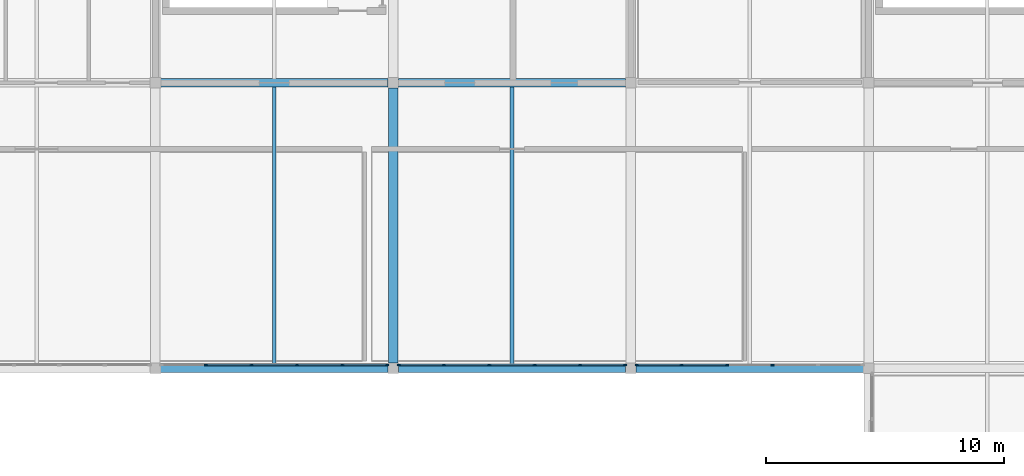
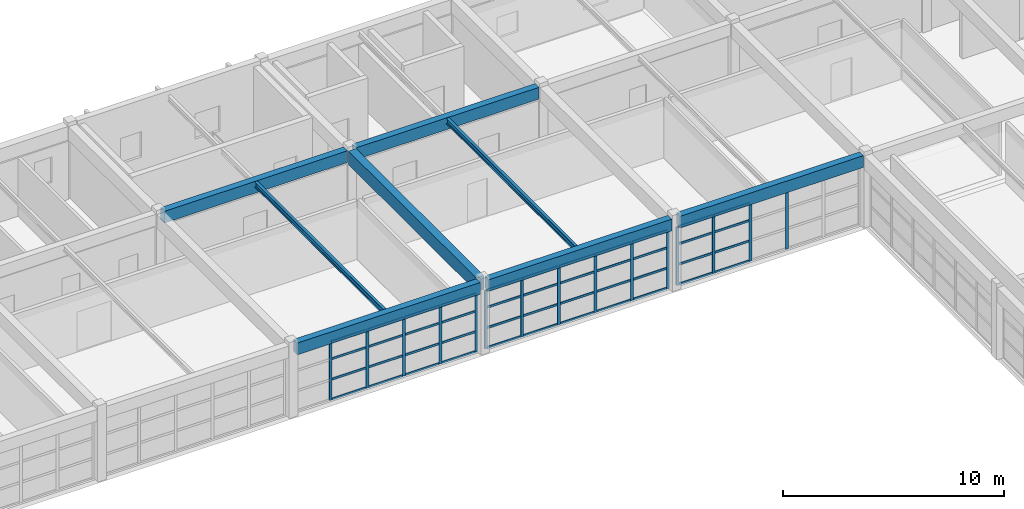
# One storey, part 7 of 16: 59 members, 8 beams, 3 elements without a shape of their own.
"""IFC4 building model written with IfcOpenShell, lengths in metres."""

import ifcopenshell
import ifcopenshell.guid

model = None  # the IFC model being written
_history = None  # IfcOwnerHistory: only IFC2X3 demands one
_inside = {}  # id of a spatial element -> (the spatial element, [elements in it])
_under = {}  # id of a project, library or spatial element -> (it, [spatial elements below it])
_declared = {}  # id of a project -> (the project, [libraries it declares])
_typed = {}  # id of a type object -> (the type object, [elements of that type])
_made_of = {}  # id of a material, layer set ... -> (it, [elements and type objects made of it])


def new_model(schema):
    """Start an empty IFC model of exactly this schema.

    Asked for "IFC4X3", IfcOpenShell would pick the latest addendum, in which some entities
    have other attributes; the version numbers below select the first issue.
    IFC2X3 requires an IfcOwnerHistory on every rooted entity: one is made here for all.
    """
    global model, _history
    if schema == "IFC4X3":
        model = ifcopenshell.file(schema_version=(4, 3, 0, 0))
    else:
        model = ifcopenshell.file(schema=schema)
    _inside.clear()
    _under.clear()
    _declared.clear()
    _typed.clear()
    _made_of.clear()
    _history = None
    if model.schema == "IFC2X3":
        org = make("IfcOrganization", Name="unknown")
        user = make(
            "IfcPersonAndOrganization",
            ThePerson=make("IfcPerson", FamilyName="unknown"),
            TheOrganization=org,
        )
        app = make(
            "IfcApplication",
            ApplicationDeveloper=org,
            Version="unknown",
            ApplicationFullName="unknown",
            ApplicationIdentifier="unknown",
        )
        _history = make(
            "IfcOwnerHistory",
            OwningUser=user,
            OwningApplication=app,
            ChangeAction="ADDED",
            CreationDate=0,
        )
    return model


def make(cls, **values):
    """One entity of the class cls with the attributes given. An attribute that is None is left unset."""
    return model.create_entity(
        cls, **{name: value for name, value in values.items() if value is not None}
    )


def rooted(cls, **values):
    """An entity with a GlobalId (a new one), such as an element, a storey or a relation."""
    return make(cls, GlobalId=ifcopenshell.guid.new(), OwnerHistory=_history, **values)


def si_unit(unit_type, name, prefix=None):
    """IfcSIUnit, for example si_unit("LENGTHUNIT", "METRE", prefix="MILLI")."""
    return make("IfcSIUnit", UnitType=unit_type, Prefix=prefix, Name=name)


def assignment(units):
    """IfcUnitAssignment: the units of a project."""
    return None if units is None else make("IfcUnitAssignment", Units=units)


def point(xyz):
    """IfcCartesianPoint."""
    return None if xyz is None else make("IfcCartesianPoint", Coordinates=xyz)


def direction(xyz):
    """IfcDirection."""
    return None if xyz is None else make("IfcDirection", DirectionRatios=xyz)


def frame(location, z_axis=None, x_axis=None):
    """IfcAxis2Placement3D, a coordinate frame: its origin and axes. An axis left out is left unset."""
    return make(
        "IfcAxis2Placement3D",
        Location=point(location),
        Axis=direction(z_axis),
        RefDirection=direction(x_axis),
    )


def frame_2d(location, x_axis=None):
    """IfcAxis2Placement2D, a coordinate frame in the plane: its origin and x axis."""
    return make(
        "IfcAxis2Placement2D", Location=point(location), RefDirection=direction(x_axis)
    )


def origin():
    """The frame at (0, 0, 0) with its axes left unset."""
    return frame((0.0, 0.0, 0.0))


def origin_2d():
    """The frame at (0, 0) in the plane with its x axis left unset."""
    return frame_2d((0.0, 0.0))


def place(relative_to, where):
    """IfcLocalPlacement: puts the frame where relative to a parent placement (None: the world)."""
    return make(
        "IfcLocalPlacement", PlacementRelTo=relative_to, RelativePlacement=where
    )


def context(
    kind, dimensions, precision=None, world=None, true_north=None, identifier=None
):
    """IfcGeometricRepresentationContext, for example the 3D "Model" context."""
    return make(
        "IfcGeometricRepresentationContext",
        ContextIdentifier=identifier,
        ContextType=kind,
        CoordinateSpaceDimension=dimensions,
        Precision=precision,
        WorldCoordinateSystem=world,
        TrueNorth=true_north,
    )


def subcontext(parent, identifier, kind, view, scale=None):
    """IfcGeometricRepresentationSubContext, for example "Body" below "Model"."""
    return make(
        "IfcGeometricRepresentationSubContext",
        ContextIdentifier=identifier,
        ContextType=kind,
        ParentContext=parent,
        TargetScale=scale,
        TargetView=view,
    )


def project(units=None, contexts=None):
    """IfcProject with its units and contexts."""
    return rooted(
        "IfcProject",
        Name="project",
        RepresentationContexts=contexts,
        UnitsInContext=assignment(units),
    )


def spatial(cls, under=None, at=None, **own):
    """A site, building, storey or space (cls), placed at a placement, below another one or the project."""
    s = rooted(cls, ObjectPlacement=at, **own)
    if under is not None:
        _under.setdefault(under.id(), (under, []))[1].append(s)
    return s


def profile(cls, at=None, kind="AREA", **sizes):
    """A parametric profile (cls). Its sizes go by their IFC names, for example OverallWidth=200.0."""
    return make(cls, ProfileType=kind, Position=at, **sizes)


def rectangle(**sizes):
    """IfcRectangleProfileDef."""
    return profile("IfcRectangleProfileDef", **sizes)


def i_section(**sizes):
    """IfcIShapeProfileDef."""
    return profile("IfcIShapeProfileDef", **sizes)


def extrude(swept, where, along, depth):
    """IfcExtrudedAreaSolid: the profile swept, set in the frame where, extruded along a direction by depth."""
    return make(
        "IfcExtrudedAreaSolid",
        SweptArea=swept,
        Position=where,
        ExtrudedDirection=direction(along),
        Depth=depth,
    )


def shape(context_of_items, identifier, shape_type, items):
    """IfcShapeRepresentation: the items that make up one representation, for example the "Body"."""
    return make(
        "IfcShapeRepresentation",
        ContextOfItems=context_of_items,
        RepresentationIdentifier=identifier,
        RepresentationType=shape_type,
        Items=items,
    )


def material(Name=None, Category=None):
    """IfcMaterial."""
    return make("IfcMaterial", Name=Name, Category=Category)


def layer(
    of_material, thickness, ventilated=None, Name=None, Category=None, Priority=None
):
    """IfcMaterialLayer: one layer of a wall or slab, of a material (None: an air gap)."""
    return make(
        "IfcMaterialLayer",
        Material=of_material,
        LayerThickness=thickness,
        IsVentilated=ventilated,
        Name=Name,
        Category=Category,
        Priority=Priority,
    )


def layer_set(layers, Name=None):
    """IfcMaterialLayerSet."""
    return make("IfcMaterialLayerSet", MaterialLayers=layers, LayerSetName=Name)


def material_profile(
    of_material, cross_section, Name=None, Category=None, Priority=None
):
    """IfcMaterialProfile: a cross section and its material."""
    return make(
        "IfcMaterialProfile",
        Name=Name,
        Material=of_material,
        Profile=cross_section,
        Priority=Priority,
        Category=Category,
    )


def profile_set(profiles, Name=None, composite=None):
    """IfcMaterialProfileSet."""
    return make(
        "IfcMaterialProfileSet",
        Name=Name,
        MaterialProfiles=profiles,
        CompositeProfile=composite,
    )


def made_of(thing, what):
    """Note that an element or type object is made of a material, layer set ...; save() writes the relation."""
    if what is not None:
        _made_of.setdefault(what.id(), (what, []))[1].append(thing)
    return thing


def type_object(cls, material=None, **own):
    """A type object (cls), such as IfcWallType, which elements share."""
    return made_of(rooted(cls, **own), material)


def element(
    cls,
    number,
    at=None,
    inside=None,
    cuts=None,
    type_object=None,
    material=None,
    context=None,
    identifier="Body",
    shape_type=None,
    held_by="IfcProductDefinitionShape",
    body=None,
    shapes=None,
    **own,
):
    """One element of the class cls, such as IfcWall. Its Tag is "e" and its number.

    at: its placement. inside: the storey or other place that contains it. cuts: it is an
    opening in that element (IfcRelVoidsElement). A single representation is given by context,
    identifier, shape_type and body (its items); several are given by shapes. held_by: the class
    of the entity that holds the representations. save() writes the other relations.
    """
    e = rooted(cls, Tag="e%d" % number, ObjectPlacement=at, **own)
    if body is not None:
        shapes = [shape(context, identifier, shape_type, body)]
    if shapes is not None:
        e.Representation = make(held_by, Representations=shapes)
    if inside is not None:
        _inside.setdefault(inside.id(), (inside, []))[1].append(e)
    if cuts is not None:
        rooted(
            "IfcRelVoidsElement", RelatingBuildingElement=cuts, RelatedOpeningElement=e
        )
    if type_object is not None:
        _typed.setdefault(type_object.id(), (type_object, []))[1].append(e)
    return made_of(e, material)


def aggregate(whole, parts):
    """IfcRelAggregates: a whole, such as a stair, and the parts it consists of."""
    return rooted("IfcRelAggregates", RelatingObject=whole, RelatedObjects=parts)


def save(model, path):
    """Write the relations noted so far, then the file.

    IfcRelAggregates (storeys below a building ...), IfcRelContainedInSpatialStructure (elements
    in a storey), IfcRelDefinesByType, IfcRelAssociatesMaterial and IfcRelDeclares: one each for
    every whole, place, type object, material and project.
    """
    for whole, parts in _under.values():
        aggregate(whole, parts)
    for where, things in _inside.values():
        rooted(
            "IfcRelContainedInSpatialStructure",
            RelatedElements=things,
            RelatingStructure=where,
        )
    for kind, things in _typed.values():
        rooted("IfcRelDefinesByType", RelatedObjects=things, RelatingType=kind)
    for what, things in _made_of.values():
        rooted("IfcRelAssociatesMaterial", RelatedObjects=things, RelatingMaterial=what)
    for by, libraries in _declared.values():
        rooted("IfcRelDeclares", RelatingContext=by, RelatedDefinitions=libraries)
    model.write(path)


model = new_model("IFC4")

# Units and contexts
model_context = context("Model", 3, precision=1e-05, world=origin(), true_north=direction((0.0, 1.0)))
body_context = subcontext(model_context, "Body", "Model", "MODEL_VIEW")
ifc_project = project(units=[si_unit("LENGTHUNIT", "METRE"), si_unit("AREAUNIT", "SQUARE_METRE"), si_unit("VOLUMEUNIT", "CUBIC_METRE"), si_unit("PLANEANGLEUNIT", "RADIAN"), si_unit("MASSUNIT", "GRAM", prefix="KILO")], contexts=[model_context])

# Site, building, storey
site_placement = place(None, origin())
site = spatial("IfcSite", under=ifc_project, at=site_placement, CompositionType="ELEMENT")
building_placement = place(site_placement, origin())
building = spatial("IfcBuilding", under=site, at=building_placement, Name="Kivolera Central Railway Station", CompositionType="ELEMENT")
storey_placement = place(building_placement, frame((0.0, 0.0, 27.0)))
storey = spatial("IfcBuildingStorey", under=building, at=storey_placement, Name="L06", CompositionType="ELEMENT", Elevation=27.0)

# Beams
ifc_material_1 = material(Name="Steel S355", Category="steel")
ifc_material_profile_1 = material_profile(ifc_material_1, i_section(OverallWidth=0.14990234375, OverallDepth=0.300048828125, WebThickness=0.007080078125, FlangeThickness=0.0107421875, FilletRadius=0.014892578125, at=origin_2d()), Name="IPE 300")
ifc_profile_set_1 = profile_set([ifc_material_profile_1], Name="Steel S355")
beam_type_1 = type_object("IfcBeamType", Name="BM-JST-IPE300", PredefinedType="JOIST", material=ifc_profile_set_1)
for number, where, z_axis, x_axis, name in (
    (1, (153.0, 114.1669921875, 3.818115234375), (0.0, 1.0, 0.0), (-1.0, 0.0, 0.0), "L06 Floor Joist 15-16/K-L"),
    (2, (163.0, 114.1669921875, 3.818115234375), (0.0, 1.0, 0.0), (-1.0, 0.0, 0.0), "L06 Floor Joist 16-17/K-L"),
):
    element("IfcBeam", number, at=place(storey_placement, frame(where, z_axis=z_axis, x_axis=x_axis)), inside=storey, type_object=beam_type_1, Name=name, PredefinedType="JOIST", context=body_context, shape_type="SweptSolid", body=[
        extrude(i_section(OverallWidth=0.14990234375, OverallDepth=0.300048828125, WebThickness=0.007080078125, FlangeThickness=0.0107421875, FilletRadius=0.014892578125, at=origin_2d()), origin(), (0.0, 0.0, 1.0), 11.666015625),
    ])
ifc_material_2 = material(Name="Concrete C40/50", Category="concrete")
ifc_material_profile_2 = material_profile(ifc_material_2, rectangle(XDim=0.35009765625, YDim=0.64990234375, at=origin_2d()), Name="RC 350x650")
ifc_profile_set_2 = profile_set([ifc_material_profile_2], Name="Concrete C40/50")
beam_type_2 = type_object("IfcBeamType", Name="BM-RC-350x650", PredefinedType="BEAM", material=ifc_profile_set_2)
for number, where, z_axis, x_axis, name in (
    (3, (148.217041015625, 114.0, 3.655029296875), (1.0, 0.0, 0.0), (0.0, 1.0, 0.0), "L06 Wing X-Beam K:15-16"),
    (4, (158.217041015625, 114.0, 3.655029296875), (1.0, 0.0, 0.0), (0.0, 1.0, 0.0), "L06 Wing X-Beam K:16-17"),
    (5, (168.217041015625, 114.0, 3.655029296875), (1.0, 0.0, 0.0), (0.0, 1.0, 0.0), "L06 Wing X-Beam K:17-18"),
    (6, (148.217041015625, 126.0, 3.655029296875), (1.0, 0.0, 0.0), (0.0, 1.0, 0.0), "L06 Wing X-Beam L:15-16"),
    (7, (158.217041015625, 126.0, 3.655029296875), (1.0, 0.0, 0.0), (0.0, 1.0, 0.0), "L06 Wing X-Beam L:16-17"),
):
    element("IfcBeam", number, at=place(storey_placement, frame(where, z_axis=z_axis, x_axis=x_axis)), inside=storey, type_object=beam_type_2, Name=name, PredefinedType="BEAM", context=body_context, shape_type="SweptSolid", body=[
        extrude(rectangle(XDim=0.35009765625, YDim=0.64990234375, at=origin_2d()), origin(), (0.0, 0.0, 1.0), 9.56591796875),
    ])
ifc_material_profile_3 = material_profile(ifc_material_2, rectangle(XDim=0.39990234375, YDim=0.75, at=origin_2d()), Name="RC 400x750")
ifc_profile_set_3 = profile_set([ifc_material_profile_3], Name="Concrete C40/50")
beam_type_3 = type_object("IfcBeamType", Name="BM-RC-400x750", PredefinedType="BEAM", material=ifc_profile_set_3)
beam_placement = place(storey_placement, frame((158.0, 114.217041015625, 3.60498046875), z_axis=(0.0, 1.0, 0.0), x_axis=(-1.0, 0.0, 0.0)))
element("IfcBeam", 8, at=beam_placement, inside=storey, type_object=beam_type_3, Name="L06 Wing Y-Beam 16:K-L", PredefinedType="BEAM", context=body_context, shape_type="SweptSolid", body=[
    extrude(rectangle(XDim=0.39990234375, YDim=0.75, at=origin_2d()), origin(), (0.0, 0.0, 1.0), 11.56591796875),
])

# Curtain wall, members
ifc_material_3 = material(Name="Anodised aluminium", Category="aluminium")
ifc_layer = layer(ifc_material_3, 0.179931640625, Name="Anodised aluminium")
ifc_layer_set = layer_set([ifc_layer], Name="Anodised aluminium")
curtain_wall_type = type_object("IfcCurtainWallType", Name="CW-SYS-34", PredefinedType="NOTDEFINED", material=ifc_layer_set)
curtain_wall_1_placement = place(storey_placement, origin())
curtain_wall_1 = element("IfcCurtainWall", 9, at=curtain_wall_1_placement, inside=storey, type_object=curtain_wall_type, Name="L06 Curtain Wall CW-L06-SOUTH-4", PredefinedType="NOTDEFINED")
ifc_material_profile_4 = material_profile(ifc_material_3, rectangle(XDim=0.06005859375, YDim=0.14990234375, at=origin_2d()), Name="ALU MULL 60x150")
ifc_profile_set_4 = profile_set([ifc_material_profile_4], Name="Anodised aluminium")
member_type_1 = type_object("IfcMemberType", Name="CWM-MUL-2", PredefinedType="MULLION", material=ifc_profile_set_4)
member_1_placement = place(storey_placement, frame((157.75, 114.135009765625, -0.0048828125), z_axis=(0.0, 0.0, 1.0), x_axis=(0.0, -1.0, 0.0)))
member_1 = element("IfcMember", 10, at=member_1_placement, type_object=member_type_1, Name="CW-34 mullion 1", PredefinedType="MULLION", context=body_context, shape_type="SweptSolid", body=[
    extrude(rectangle(XDim=0.06005859375, YDim=0.14990234375, at=origin_2d()), origin(), (0.0, 0.0, 1.0), 3.222900390625),
])
member_2_placement = place(storey_placement, frame((155.867919921875, 114.135009765625, -0.0048828125), z_axis=(0.0, 0.0, 1.0), x_axis=(0.0, -1.0, 0.0)))
member_2 = element("IfcMember", 11, at=member_2_placement, type_object=member_type_1, Name="CW-34 mullion 2", PredefinedType="MULLION", context=body_context, shape_type="SweptSolid", body=[
    extrude(rectangle(XDim=0.06005859375, YDim=0.14990234375, at=origin_2d()), origin(), (0.0, 0.0, 1.0), 3.222900390625),
])
member_3_placement = place(storey_placement, frame((153.9560546875, 114.135009765625, -0.0048828125), z_axis=(0.0, 0.0, 1.0), x_axis=(0.0, -1.0, 0.0)))
member_3 = element("IfcMember", 12, at=member_3_placement, type_object=member_type_1, Name="CW-34 mullion 3", PredefinedType="MULLION", context=body_context, shape_type="SweptSolid", body=[
    extrude(rectangle(XDim=0.06005859375, YDim=0.14990234375, at=origin_2d()), origin(), (0.0, 0.0, 1.0), 3.222900390625),
])
member_4_placement = place(storey_placement, frame((152.0439453125, 114.135009765625, -0.0048828125), z_axis=(0.0, 0.0, 1.0), x_axis=(0.0, -1.0, 0.0)))
member_4 = element("IfcMember", 13, at=member_4_placement, type_object=member_type_1, Name="CW-34 mullion 4", PredefinedType="MULLION", context=body_context, shape_type="SweptSolid", body=[
    extrude(rectangle(XDim=0.06005859375, YDim=0.14990234375, at=origin_2d()), origin(), (0.0, 0.0, 1.0), 3.222900390625),
])
member_5_placement = place(storey_placement, frame((150.132080078125, 114.135009765625, -0.0048828125), z_axis=(0.0, 0.0, 1.0), x_axis=(0.0, -1.0, 0.0)))
member_5 = element("IfcMember", 14, at=member_5_placement, type_object=member_type_1, Name="CW-34 mullion 5", PredefinedType="MULLION", context=body_context, shape_type="SweptSolid", body=[
    extrude(rectangle(XDim=0.06005859375, YDim=0.14990234375, at=origin_2d()), origin(), (0.0, 0.0, 1.0), 3.222900390625),
])

curtain_wall_2_placement = place(storey_placement, origin())
curtain_wall_2 = element("IfcCurtainWall", 15, at=curtain_wall_2_placement, inside=storey, type_object=curtain_wall_type, Name="L06 Curtain Wall CW-L06-SOUTH-5", PredefinedType="NOTDEFINED")
member_6_placement = place(storey_placement, frame((167.75, 114.135009765625, -0.0048828125), z_axis=(0.0, 0.0, 1.0), x_axis=(0.0, -1.0, 0.0)))
member_6 = element("IfcMember", 16, at=member_6_placement, type_object=member_type_1, Name="CW-34 mullion 1", PredefinedType="MULLION", context=body_context, shape_type="SweptSolid", body=[
    extrude(rectangle(XDim=0.06005859375, YDim=0.14990234375, at=origin_2d()), origin(), (0.0, 0.0, 1.0), 3.222900390625),
])
member_7_placement = place(storey_placement, frame((165.867919921875, 114.135009765625, -0.0048828125), z_axis=(0.0, 0.0, 1.0), x_axis=(0.0, -1.0, 0.0)))
member_7 = element("IfcMember", 17, at=member_7_placement, type_object=member_type_1, Name="CW-34 mullion 2", PredefinedType="MULLION", context=body_context, shape_type="SweptSolid", body=[
    extrude(rectangle(XDim=0.06005859375, YDim=0.14990234375, at=origin_2d()), origin(), (0.0, 0.0, 1.0), 3.222900390625),
])
member_8_placement = place(storey_placement, frame((163.9560546875, 114.135009765625, -0.0048828125), z_axis=(0.0, 0.0, 1.0), x_axis=(0.0, -1.0, 0.0)))
member_8 = element("IfcMember", 18, at=member_8_placement, type_object=member_type_1, Name="CW-34 mullion 3", PredefinedType="MULLION", context=body_context, shape_type="SweptSolid", body=[
    extrude(rectangle(XDim=0.06005859375, YDim=0.14990234375, at=origin_2d()), origin(), (0.0, 0.0, 1.0), 3.222900390625),
])
member_9_placement = place(storey_placement, frame((162.0439453125, 114.135009765625, -0.0048828125), z_axis=(0.0, 0.0, 1.0), x_axis=(0.0, -1.0, 0.0)))
member_9 = element("IfcMember", 19, at=member_9_placement, type_object=member_type_1, Name="CW-34 mullion 4", PredefinedType="MULLION", context=body_context, shape_type="SweptSolid", body=[
    extrude(rectangle(XDim=0.06005859375, YDim=0.14990234375, at=origin_2d()), origin(), (0.0, 0.0, 1.0), 3.222900390625),
])
member_10_placement = place(storey_placement, frame((160.132080078125, 114.135009765625, -0.0048828125), z_axis=(0.0, 0.0, 1.0), x_axis=(0.0, -1.0, 0.0)))
member_10 = element("IfcMember", 20, at=member_10_placement, type_object=member_type_1, Name="CW-34 mullion 5", PredefinedType="MULLION", context=body_context, shape_type="SweptSolid", body=[
    extrude(rectangle(XDim=0.06005859375, YDim=0.14990234375, at=origin_2d()), origin(), (0.0, 0.0, 1.0), 3.222900390625),
])
member_11_placement = place(storey_placement, frame((158.25, 114.135009765625, -0.0048828125), z_axis=(0.0, 0.0, 1.0), x_axis=(0.0, -1.0, 0.0)))
member_11 = element("IfcMember", 21, at=member_11_placement, type_object=member_type_1, Name="CW-34 mullion 6", PredefinedType="MULLION", context=body_context, shape_type="SweptSolid", body=[
    extrude(rectangle(XDim=0.06005859375, YDim=0.14990234375, at=origin_2d()), origin(), (0.0, 0.0, 1.0), 3.222900390625),
])

curtain_wall_3_placement = place(storey_placement, origin())
curtain_wall_3 = element("IfcCurtainWall", 22, at=curtain_wall_3_placement, inside=storey, type_object=curtain_wall_type, Name="L06 Curtain Wall CW-L06-SOUTH-6", PredefinedType="NOTDEFINED")
member_12_placement = place(storey_placement, frame((173.9560546875, 114.135009765625, -0.0048828125), z_axis=(0.0, 0.0, 1.0), x_axis=(0.0, -1.0, 0.0)))
member_12 = element("IfcMember", 23, at=member_12_placement, type_object=member_type_1, Name="CW-34 mullion 3", PredefinedType="MULLION", context=body_context, shape_type="SweptSolid", body=[
    extrude(rectangle(XDim=0.06005859375, YDim=0.14990234375, at=origin_2d()), origin(), (0.0, 0.0, 1.0), 3.222900390625),
])
member_13_placement = place(storey_placement, frame((172.0439453125, 114.135009765625, -0.0048828125), z_axis=(0.0, 0.0, 1.0), x_axis=(0.0, -1.0, 0.0)))
member_13 = element("IfcMember", 24, at=member_13_placement, type_object=member_type_1, Name="CW-34 mullion 4", PredefinedType="MULLION", context=body_context, shape_type="SweptSolid", body=[
    extrude(rectangle(XDim=0.06005859375, YDim=0.14990234375, at=origin_2d()), origin(), (0.0, 0.0, 1.0), 3.222900390625),
])
member_14_placement = place(storey_placement, frame((170.132080078125, 114.135009765625, -0.0048828125), z_axis=(0.0, 0.0, 1.0), x_axis=(0.0, -1.0, 0.0)))
member_14 = element("IfcMember", 25, at=member_14_placement, type_object=member_type_1, Name="CW-34 mullion 5", PredefinedType="MULLION", context=body_context, shape_type="SweptSolid", body=[
    extrude(rectangle(XDim=0.06005859375, YDim=0.14990234375, at=origin_2d()), origin(), (0.0, 0.0, 1.0), 3.222900390625),
])
member_15_placement = place(storey_placement, frame((168.25, 114.135009765625, -0.0048828125), z_axis=(0.0, 0.0, 1.0), x_axis=(0.0, -1.0, 0.0)))
member_15 = element("IfcMember", 26, at=member_15_placement, type_object=member_type_1, Name="CW-34 mullion 6", PredefinedType="MULLION", context=body_context, shape_type="SweptSolid", body=[
    extrude(rectangle(XDim=0.06005859375, YDim=0.14990234375, at=origin_2d()), origin(), (0.0, 0.0, 1.0), 3.222900390625),
])

# Member
ifc_material_profile_5 = material_profile(ifc_material_3, rectangle(XDim=0.06005859375, YDim=0.1201171875, at=origin_2d()), Name="ALU TRAN 60x120")
ifc_profile_set_5 = profile_set([ifc_material_profile_5], Name="Anodised aluminium")
member_type_2 = type_object("IfcMemberType", Name="CWM-TRN-2", PredefinedType="USERDEFINED", material=ifc_profile_set_5)
member_16_placement = place(storey_placement, frame((157.719970703125, 114.135009765625, 0.030029296875), z_axis=(-1.0, 0.0, 0.0), x_axis=(0.0, -1.0, 0.0)))
member_16 = element("IfcMember", 27, at=member_16_placement, type_object=member_type_2, Name="CW-34 transom 1.1", ObjectType="TRANSOM", PredefinedType="USERDEFINED", context=body_context, shape_type="SweptSolid", body=[
    extrude(rectangle(XDim=0.06005859375, YDim=0.1201171875, at=origin_2d()), origin(), (0.0, 0.0, 1.0), 1.822021484375),
])

member_17_placement = place(storey_placement, frame((157.719970703125, 114.135009765625, 1.126220703125), z_axis=(-1.0, 0.0, 0.0), x_axis=(0.0, -1.0, 0.0)))
member_17 = element("IfcMember", 28, at=member_17_placement, type_object=member_type_2, Name="CW-34 transom 1.2", ObjectType="TRANSOM", PredefinedType="USERDEFINED", context=body_context, shape_type="SweptSolid", body=[
    extrude(rectangle(XDim=0.06005859375, YDim=0.1201171875, at=origin_2d()), origin(), (0.0, 0.0, 1.0), 1.822021484375),
])

member_18_placement = place(storey_placement, frame((157.719970703125, 114.135009765625, 2.252685546875), z_axis=(-1.0, 0.0, 0.0), x_axis=(0.0, -1.0, 0.0)))
member_18 = element("IfcMember", 29, at=member_18_placement, type_object=member_type_2, Name="CW-34 transom 1.3", ObjectType="TRANSOM", PredefinedType="USERDEFINED", context=body_context, shape_type="SweptSolid", body=[
    extrude(rectangle(XDim=0.06005859375, YDim=0.1201171875, at=origin_2d()), origin(), (0.0, 0.0, 1.0), 1.822021484375),
])

member_19_placement = place(storey_placement, frame((157.719970703125, 114.135009765625, 3.18798828125), z_axis=(-1.0, 0.0, 0.0), x_axis=(0.0, -1.0, 0.0)))
member_19 = element("IfcMember", 30, at=member_19_placement, type_object=member_type_2, Name="CW-34 transom 1.4", ObjectType="TRANSOM", PredefinedType="USERDEFINED", context=body_context, shape_type="SweptSolid", body=[
    extrude(rectangle(XDim=0.06005859375, YDim=0.1201171875, at=origin_2d()), origin(), (0.0, 0.0, 1.0), 1.822021484375),
])

member_20_placement = place(storey_placement, frame((155.837890625, 114.135009765625, 0.030029296875), z_axis=(-1.0, 0.0, 0.0), x_axis=(0.0, -1.0, 0.0)))
member_20 = element("IfcMember", 31, at=member_20_placement, type_object=member_type_2, Name="CW-34 transom 2.1", ObjectType="TRANSOM", PredefinedType="USERDEFINED", context=body_context, shape_type="SweptSolid", body=[
    extrude(rectangle(XDim=0.06005859375, YDim=0.1201171875, at=origin_2d()), origin(), (0.0, 0.0, 1.0), 1.851806640625),
])

member_21_placement = place(storey_placement, frame((155.837890625, 114.135009765625, 1.126220703125), z_axis=(-1.0, 0.0, 0.0), x_axis=(0.0, -1.0, 0.0)))
member_21 = element("IfcMember", 32, at=member_21_placement, type_object=member_type_2, Name="CW-34 transom 2.2", ObjectType="TRANSOM", PredefinedType="USERDEFINED", context=body_context, shape_type="SweptSolid", body=[
    extrude(rectangle(XDim=0.06005859375, YDim=0.1201171875, at=origin_2d()), origin(), (0.0, 0.0, 1.0), 1.851806640625),
])

member_22_placement = place(storey_placement, frame((155.837890625, 114.135009765625, 2.252685546875), z_axis=(-1.0, 0.0, 0.0), x_axis=(0.0, -1.0, 0.0)))
member_22 = element("IfcMember", 33, at=member_22_placement, type_object=member_type_2, Name="CW-34 transom 2.3", ObjectType="TRANSOM", PredefinedType="USERDEFINED", context=body_context, shape_type="SweptSolid", body=[
    extrude(rectangle(XDim=0.06005859375, YDim=0.1201171875, at=origin_2d()), origin(), (0.0, 0.0, 1.0), 1.851806640625),
])

member_23_placement = place(storey_placement, frame((155.837890625, 114.135009765625, 3.18798828125), z_axis=(-1.0, 0.0, 0.0), x_axis=(0.0, -1.0, 0.0)))
member_23 = element("IfcMember", 34, at=member_23_placement, type_object=member_type_2, Name="CW-34 transom 2.4", ObjectType="TRANSOM", PredefinedType="USERDEFINED", context=body_context, shape_type="SweptSolid", body=[
    extrude(rectangle(XDim=0.06005859375, YDim=0.1201171875, at=origin_2d()), origin(), (0.0, 0.0, 1.0), 1.851806640625),
])

member_24_placement = place(storey_placement, frame((153.926025390625, 114.135009765625, 0.030029296875), z_axis=(-1.0, 0.0, 0.0), x_axis=(0.0, -1.0, 0.0)))
member_24 = element("IfcMember", 35, at=member_24_placement, type_object=member_type_2, Name="CW-34 transom 3.1", ObjectType="TRANSOM", PredefinedType="USERDEFINED", context=body_context, shape_type="SweptSolid", body=[
    extrude(rectangle(XDim=0.06005859375, YDim=0.1201171875, at=origin_2d()), origin(), (0.0, 0.0, 1.0), 1.85205078125),
])

member_25_placement = place(storey_placement, frame((153.926025390625, 114.135009765625, 1.126220703125), z_axis=(-1.0, 0.0, 0.0), x_axis=(0.0, -1.0, 0.0)))
member_25 = element("IfcMember", 36, at=member_25_placement, type_object=member_type_2, Name="CW-34 transom 3.2", ObjectType="TRANSOM", PredefinedType="USERDEFINED", context=body_context, shape_type="SweptSolid", body=[
    extrude(rectangle(XDim=0.06005859375, YDim=0.1201171875, at=origin_2d()), origin(), (0.0, 0.0, 1.0), 1.85205078125),
])

member_26_placement = place(storey_placement, frame((153.926025390625, 114.135009765625, 2.252685546875), z_axis=(-1.0, 0.0, 0.0), x_axis=(0.0, -1.0, 0.0)))
member_26 = element("IfcMember", 37, at=member_26_placement, type_object=member_type_2, Name="CW-34 transom 3.3", ObjectType="TRANSOM", PredefinedType="USERDEFINED", context=body_context, shape_type="SweptSolid", body=[
    extrude(rectangle(XDim=0.06005859375, YDim=0.1201171875, at=origin_2d()), origin(), (0.0, 0.0, 1.0), 1.85205078125),
])

member_27_placement = place(storey_placement, frame((153.926025390625, 114.135009765625, 3.18798828125), z_axis=(-1.0, 0.0, 0.0), x_axis=(0.0, -1.0, 0.0)))
member_27 = element("IfcMember", 38, at=member_27_placement, type_object=member_type_2, Name="CW-34 transom 3.4", ObjectType="TRANSOM", PredefinedType="USERDEFINED", context=body_context, shape_type="SweptSolid", body=[
    extrude(rectangle(XDim=0.06005859375, YDim=0.1201171875, at=origin_2d()), origin(), (0.0, 0.0, 1.0), 1.85205078125),
])

member_28_placement = place(storey_placement, frame((152.013916015625, 114.135009765625, 0.030029296875), z_axis=(-1.0, 0.0, 0.0), x_axis=(0.0, -1.0, 0.0)))
member_28 = element("IfcMember", 39, at=member_28_placement, type_object=member_type_2, Name="CW-34 transom 4.1", ObjectType="TRANSOM", PredefinedType="USERDEFINED", context=body_context, shape_type="SweptSolid", body=[
    extrude(rectangle(XDim=0.06005859375, YDim=0.1201171875, at=origin_2d()), origin(), (0.0, 0.0, 1.0), 1.851806640625),
])

member_29_placement = place(storey_placement, frame((152.013916015625, 114.135009765625, 1.126220703125), z_axis=(-1.0, 0.0, 0.0), x_axis=(0.0, -1.0, 0.0)))
member_29 = element("IfcMember", 40, at=member_29_placement, type_object=member_type_2, Name="CW-34 transom 4.2", ObjectType="TRANSOM", PredefinedType="USERDEFINED", context=body_context, shape_type="SweptSolid", body=[
    extrude(rectangle(XDim=0.06005859375, YDim=0.1201171875, at=origin_2d()), origin(), (0.0, 0.0, 1.0), 1.851806640625),
])

member_30_placement = place(storey_placement, frame((152.013916015625, 114.135009765625, 2.252685546875), z_axis=(-1.0, 0.0, 0.0), x_axis=(0.0, -1.0, 0.0)))
member_30 = element("IfcMember", 41, at=member_30_placement, type_object=member_type_2, Name="CW-34 transom 4.3", ObjectType="TRANSOM", PredefinedType="USERDEFINED", context=body_context, shape_type="SweptSolid", body=[
    extrude(rectangle(XDim=0.06005859375, YDim=0.1201171875, at=origin_2d()), origin(), (0.0, 0.0, 1.0), 1.851806640625),
])

member_31_placement = place(storey_placement, frame((152.013916015625, 114.135009765625, 3.18798828125), z_axis=(-1.0, 0.0, 0.0), x_axis=(0.0, -1.0, 0.0)))
member_31 = element("IfcMember", 42, at=member_31_placement, type_object=member_type_2, Name="CW-34 transom 4.4", ObjectType="TRANSOM", PredefinedType="USERDEFINED", context=body_context, shape_type="SweptSolid", body=[
    extrude(rectangle(XDim=0.06005859375, YDim=0.1201171875, at=origin_2d()), origin(), (0.0, 0.0, 1.0), 1.851806640625),
])

aggregate(curtain_wall_1, [member_1, member_2, member_3, member_4, member_5, member_16, member_17, member_18, member_19, member_20, member_21, member_22, member_23, member_24, member_25, member_26, member_27, member_28, member_29, member_30, member_31])

member_32_placement = place(storey_placement, frame((167.719970703125, 114.135009765625, 0.030029296875), z_axis=(-1.0, 0.0, 0.0), x_axis=(0.0, -1.0, 0.0)))
member_32 = element("IfcMember", 43, at=member_32_placement, type_object=member_type_2, Name="CW-34 transom 1.1", ObjectType="TRANSOM", PredefinedType="USERDEFINED", context=body_context, shape_type="SweptSolid", body=[
    extrude(rectangle(XDim=0.06005859375, YDim=0.1201171875, at=origin_2d()), origin(), (0.0, 0.0, 1.0), 1.822021484375),
])

member_33_placement = place(storey_placement, frame((167.719970703125, 114.135009765625, 1.126220703125), z_axis=(-1.0, 0.0, 0.0), x_axis=(0.0, -1.0, 0.0)))
member_33 = element("IfcMember", 44, at=member_33_placement, type_object=member_type_2, Name="CW-34 transom 1.2", ObjectType="TRANSOM", PredefinedType="USERDEFINED", context=body_context, shape_type="SweptSolid", body=[
    extrude(rectangle(XDim=0.06005859375, YDim=0.1201171875, at=origin_2d()), origin(), (0.0, 0.0, 1.0), 1.822021484375),
])

member_34_placement = place(storey_placement, frame((167.719970703125, 114.135009765625, 2.252685546875), z_axis=(-1.0, 0.0, 0.0), x_axis=(0.0, -1.0, 0.0)))
member_34 = element("IfcMember", 45, at=member_34_placement, type_object=member_type_2, Name="CW-34 transom 1.3", ObjectType="TRANSOM", PredefinedType="USERDEFINED", context=body_context, shape_type="SweptSolid", body=[
    extrude(rectangle(XDim=0.06005859375, YDim=0.1201171875, at=origin_2d()), origin(), (0.0, 0.0, 1.0), 1.822021484375),
])

member_35_placement = place(storey_placement, frame((167.719970703125, 114.135009765625, 3.18798828125), z_axis=(-1.0, 0.0, 0.0), x_axis=(0.0, -1.0, 0.0)))
member_35 = element("IfcMember", 46, at=member_35_placement, type_object=member_type_2, Name="CW-34 transom 1.4", ObjectType="TRANSOM", PredefinedType="USERDEFINED", context=body_context, shape_type="SweptSolid", body=[
    extrude(rectangle(XDim=0.06005859375, YDim=0.1201171875, at=origin_2d()), origin(), (0.0, 0.0, 1.0), 1.822021484375),
])

member_36_placement = place(storey_placement, frame((165.837890625, 114.135009765625, 0.030029296875), z_axis=(-1.0, 0.0, 0.0), x_axis=(0.0, -1.0, 0.0)))
member_36 = element("IfcMember", 47, at=member_36_placement, type_object=member_type_2, Name="CW-34 transom 2.1", ObjectType="TRANSOM", PredefinedType="USERDEFINED", context=body_context, shape_type="SweptSolid", body=[
    extrude(rectangle(XDim=0.06005859375, YDim=0.1201171875, at=origin_2d()), origin(), (0.0, 0.0, 1.0), 1.851806640625),
])

member_37_placement = place(storey_placement, frame((165.837890625, 114.135009765625, 1.126220703125), z_axis=(-1.0, 0.0, 0.0), x_axis=(0.0, -1.0, 0.0)))
member_37 = element("IfcMember", 48, at=member_37_placement, type_object=member_type_2, Name="CW-34 transom 2.2", ObjectType="TRANSOM", PredefinedType="USERDEFINED", context=body_context, shape_type="SweptSolid", body=[
    extrude(rectangle(XDim=0.06005859375, YDim=0.1201171875, at=origin_2d()), origin(), (0.0, 0.0, 1.0), 1.851806640625),
])

member_38_placement = place(storey_placement, frame((165.837890625, 114.135009765625, 2.252685546875), z_axis=(-1.0, 0.0, 0.0), x_axis=(0.0, -1.0, 0.0)))
member_38 = element("IfcMember", 49, at=member_38_placement, type_object=member_type_2, Name="CW-34 transom 2.3", ObjectType="TRANSOM", PredefinedType="USERDEFINED", context=body_context, shape_type="SweptSolid", body=[
    extrude(rectangle(XDim=0.06005859375, YDim=0.1201171875, at=origin_2d()), origin(), (0.0, 0.0, 1.0), 1.851806640625),
])

member_39_placement = place(storey_placement, frame((165.837890625, 114.135009765625, 3.18798828125), z_axis=(-1.0, 0.0, 0.0), x_axis=(0.0, -1.0, 0.0)))
member_39 = element("IfcMember", 50, at=member_39_placement, type_object=member_type_2, Name="CW-34 transom 2.4", ObjectType="TRANSOM", PredefinedType="USERDEFINED", context=body_context, shape_type="SweptSolid", body=[
    extrude(rectangle(XDim=0.06005859375, YDim=0.1201171875, at=origin_2d()), origin(), (0.0, 0.0, 1.0), 1.851806640625),
])

member_40_placement = place(storey_placement, frame((163.926025390625, 114.135009765625, 0.030029296875), z_axis=(-1.0, 0.0, 0.0), x_axis=(0.0, -1.0, 0.0)))
member_40 = element("IfcMember", 51, at=member_40_placement, type_object=member_type_2, Name="CW-34 transom 3.1", ObjectType="TRANSOM", PredefinedType="USERDEFINED", context=body_context, shape_type="SweptSolid", body=[
    extrude(rectangle(XDim=0.06005859375, YDim=0.1201171875, at=origin_2d()), origin(), (0.0, 0.0, 1.0), 1.85205078125),
])

member_41_placement = place(storey_placement, frame((163.926025390625, 114.135009765625, 1.126220703125), z_axis=(-1.0, 0.0, 0.0), x_axis=(0.0, -1.0, 0.0)))
member_41 = element("IfcMember", 52, at=member_41_placement, type_object=member_type_2, Name="CW-34 transom 3.2", ObjectType="TRANSOM", PredefinedType="USERDEFINED", context=body_context, shape_type="SweptSolid", body=[
    extrude(rectangle(XDim=0.06005859375, YDim=0.1201171875, at=origin_2d()), origin(), (0.0, 0.0, 1.0), 1.85205078125),
])

member_42_placement = place(storey_placement, frame((163.926025390625, 114.135009765625, 2.252685546875), z_axis=(-1.0, 0.0, 0.0), x_axis=(0.0, -1.0, 0.0)))
member_42 = element("IfcMember", 53, at=member_42_placement, type_object=member_type_2, Name="CW-34 transom 3.3", ObjectType="TRANSOM", PredefinedType="USERDEFINED", context=body_context, shape_type="SweptSolid", body=[
    extrude(rectangle(XDim=0.06005859375, YDim=0.1201171875, at=origin_2d()), origin(), (0.0, 0.0, 1.0), 1.85205078125),
])

member_43_placement = place(storey_placement, frame((163.926025390625, 114.135009765625, 3.18798828125), z_axis=(-1.0, 0.0, 0.0), x_axis=(0.0, -1.0, 0.0)))
member_43 = element("IfcMember", 54, at=member_43_placement, type_object=member_type_2, Name="CW-34 transom 3.4", ObjectType="TRANSOM", PredefinedType="USERDEFINED", context=body_context, shape_type="SweptSolid", body=[
    extrude(rectangle(XDim=0.06005859375, YDim=0.1201171875, at=origin_2d()), origin(), (0.0, 0.0, 1.0), 1.85205078125),
])

member_44_placement = place(storey_placement, frame((162.013916015625, 114.135009765625, 0.030029296875), z_axis=(-1.0, 0.0, 0.0), x_axis=(0.0, -1.0, 0.0)))
member_44 = element("IfcMember", 55, at=member_44_placement, type_object=member_type_2, Name="CW-34 transom 4.1", ObjectType="TRANSOM", PredefinedType="USERDEFINED", context=body_context, shape_type="SweptSolid", body=[
    extrude(rectangle(XDim=0.06005859375, YDim=0.1201171875, at=origin_2d()), origin(), (0.0, 0.0, 1.0), 1.851806640625),
])

member_45_placement = place(storey_placement, frame((162.013916015625, 114.135009765625, 1.126220703125), z_axis=(-1.0, 0.0, 0.0), x_axis=(0.0, -1.0, 0.0)))
member_45 = element("IfcMember", 56, at=member_45_placement, type_object=member_type_2, Name="CW-34 transom 4.2", ObjectType="TRANSOM", PredefinedType="USERDEFINED", context=body_context, shape_type="SweptSolid", body=[
    extrude(rectangle(XDim=0.06005859375, YDim=0.1201171875, at=origin_2d()), origin(), (0.0, 0.0, 1.0), 1.851806640625),
])

member_46_placement = place(storey_placement, frame((162.013916015625, 114.135009765625, 2.252685546875), z_axis=(-1.0, 0.0, 0.0), x_axis=(0.0, -1.0, 0.0)))
member_46 = element("IfcMember", 57, at=member_46_placement, type_object=member_type_2, Name="CW-34 transom 4.3", ObjectType="TRANSOM", PredefinedType="USERDEFINED", context=body_context, shape_type="SweptSolid", body=[
    extrude(rectangle(XDim=0.06005859375, YDim=0.1201171875, at=origin_2d()), origin(), (0.0, 0.0, 1.0), 1.851806640625),
])

member_47_placement = place(storey_placement, frame((162.013916015625, 114.135009765625, 3.18798828125), z_axis=(-1.0, 0.0, 0.0), x_axis=(0.0, -1.0, 0.0)))
member_47 = element("IfcMember", 58, at=member_47_placement, type_object=member_type_2, Name="CW-34 transom 4.4", ObjectType="TRANSOM", PredefinedType="USERDEFINED", context=body_context, shape_type="SweptSolid", body=[
    extrude(rectangle(XDim=0.06005859375, YDim=0.1201171875, at=origin_2d()), origin(), (0.0, 0.0, 1.0), 1.851806640625),
])

member_48_placement = place(storey_placement, frame((160.10205078125, 114.135009765625, 0.030029296875), z_axis=(-1.0, 0.0, 0.0), x_axis=(0.0, -1.0, 0.0)))
member_48 = element("IfcMember", 59, at=member_48_placement, type_object=member_type_2, Name="CW-34 transom 5.1", ObjectType="TRANSOM", PredefinedType="USERDEFINED", context=body_context, shape_type="SweptSolid", body=[
    extrude(rectangle(XDim=0.06005859375, YDim=0.1201171875, at=origin_2d()), origin(), (0.0, 0.0, 1.0), 1.822021484375),
])

member_49_placement = place(storey_placement, frame((160.10205078125, 114.135009765625, 1.126220703125), z_axis=(-1.0, 0.0, 0.0), x_axis=(0.0, -1.0, 0.0)))
member_49 = element("IfcMember", 60, at=member_49_placement, type_object=member_type_2, Name="CW-34 transom 5.2", ObjectType="TRANSOM", PredefinedType="USERDEFINED", context=body_context, shape_type="SweptSolid", body=[
    extrude(rectangle(XDim=0.06005859375, YDim=0.1201171875, at=origin_2d()), origin(), (0.0, 0.0, 1.0), 1.822021484375),
])

member_50_placement = place(storey_placement, frame((160.10205078125, 114.135009765625, 2.252685546875), z_axis=(-1.0, 0.0, 0.0), x_axis=(0.0, -1.0, 0.0)))
member_50 = element("IfcMember", 61, at=member_50_placement, type_object=member_type_2, Name="CW-34 transom 5.3", ObjectType="TRANSOM", PredefinedType="USERDEFINED", context=body_context, shape_type="SweptSolid", body=[
    extrude(rectangle(XDim=0.06005859375, YDim=0.1201171875, at=origin_2d()), origin(), (0.0, 0.0, 1.0), 1.822021484375),
])

member_51_placement = place(storey_placement, frame((160.10205078125, 114.135009765625, 3.18798828125), z_axis=(-1.0, 0.0, 0.0), x_axis=(0.0, -1.0, 0.0)))
member_51 = element("IfcMember", 62, at=member_51_placement, type_object=member_type_2, Name="CW-34 transom 5.4", ObjectType="TRANSOM", PredefinedType="USERDEFINED", context=body_context, shape_type="SweptSolid", body=[
    extrude(rectangle(XDim=0.06005859375, YDim=0.1201171875, at=origin_2d()), origin(), (0.0, 0.0, 1.0), 1.822021484375),
])

aggregate(curtain_wall_2, [member_6, member_7, member_8, member_9, member_10, member_11, member_32, member_33, member_34, member_35, member_36, member_37, member_38, member_39, member_40, member_41, member_42, member_43, member_44, member_45, member_46, member_47, member_48, member_49, member_50, member_51])

member_52_placement = place(storey_placement, frame((172.013916015625, 114.135009765625, 0.030029296875), z_axis=(-1.0, 0.0, 0.0), x_axis=(0.0, -1.0, 0.0)))
member_52 = element("IfcMember", 63, at=member_52_placement, type_object=member_type_2, Name="CW-34 transom 4.1", ObjectType="TRANSOM", PredefinedType="USERDEFINED", context=body_context, shape_type="SweptSolid", body=[
    extrude(rectangle(XDim=0.06005859375, YDim=0.1201171875, at=origin_2d()), origin(), (0.0, 0.0, 1.0), 1.851806640625),
])

member_53_placement = place(storey_placement, frame((172.013916015625, 114.135009765625, 1.126220703125), z_axis=(-1.0, 0.0, 0.0), x_axis=(0.0, -1.0, 0.0)))
member_53 = element("IfcMember", 64, at=member_53_placement, type_object=member_type_2, Name="CW-34 transom 4.2", ObjectType="TRANSOM", PredefinedType="USERDEFINED", context=body_context, shape_type="SweptSolid", body=[
    extrude(rectangle(XDim=0.06005859375, YDim=0.1201171875, at=origin_2d()), origin(), (0.0, 0.0, 1.0), 1.851806640625),
])

member_54_placement = place(storey_placement, frame((172.013916015625, 114.135009765625, 2.252685546875), z_axis=(-1.0, 0.0, 0.0), x_axis=(0.0, -1.0, 0.0)))
member_54 = element("IfcMember", 65, at=member_54_placement, type_object=member_type_2, Name="CW-34 transom 4.3", ObjectType="TRANSOM", PredefinedType="USERDEFINED", context=body_context, shape_type="SweptSolid", body=[
    extrude(rectangle(XDim=0.06005859375, YDim=0.1201171875, at=origin_2d()), origin(), (0.0, 0.0, 1.0), 1.851806640625),
])

member_55_placement = place(storey_placement, frame((172.013916015625, 114.135009765625, 3.18798828125), z_axis=(-1.0, 0.0, 0.0), x_axis=(0.0, -1.0, 0.0)))
member_55 = element("IfcMember", 66, at=member_55_placement, type_object=member_type_2, Name="CW-34 transom 4.4", ObjectType="TRANSOM", PredefinedType="USERDEFINED", context=body_context, shape_type="SweptSolid", body=[
    extrude(rectangle(XDim=0.06005859375, YDim=0.1201171875, at=origin_2d()), origin(), (0.0, 0.0, 1.0), 1.851806640625),
])

member_56_placement = place(storey_placement, frame((170.10205078125, 114.135009765625, 0.030029296875), z_axis=(-1.0, 0.0, 0.0), x_axis=(0.0, -1.0, 0.0)))
member_56 = element("IfcMember", 67, at=member_56_placement, type_object=member_type_2, Name="CW-34 transom 5.1", ObjectType="TRANSOM", PredefinedType="USERDEFINED", context=body_context, shape_type="SweptSolid", body=[
    extrude(rectangle(XDim=0.06005859375, YDim=0.1201171875, at=origin_2d()), origin(), (0.0, 0.0, 1.0), 1.822021484375),
])

member_57_placement = place(storey_placement, frame((170.10205078125, 114.135009765625, 1.126220703125), z_axis=(-1.0, 0.0, 0.0), x_axis=(0.0, -1.0, 0.0)))
member_57 = element("IfcMember", 68, at=member_57_placement, type_object=member_type_2, Name="CW-34 transom 5.2", ObjectType="TRANSOM", PredefinedType="USERDEFINED", context=body_context, shape_type="SweptSolid", body=[
    extrude(rectangle(XDim=0.06005859375, YDim=0.1201171875, at=origin_2d()), origin(), (0.0, 0.0, 1.0), 1.822021484375),
])

member_58_placement = place(storey_placement, frame((170.10205078125, 114.135009765625, 2.252685546875), z_axis=(-1.0, 0.0, 0.0), x_axis=(0.0, -1.0, 0.0)))
member_58 = element("IfcMember", 69, at=member_58_placement, type_object=member_type_2, Name="CW-34 transom 5.3", ObjectType="TRANSOM", PredefinedType="USERDEFINED", context=body_context, shape_type="SweptSolid", body=[
    extrude(rectangle(XDim=0.06005859375, YDim=0.1201171875, at=origin_2d()), origin(), (0.0, 0.0, 1.0), 1.822021484375),
])

member_59_placement = place(storey_placement, frame((170.10205078125, 114.135009765625, 3.18798828125), z_axis=(-1.0, 0.0, 0.0), x_axis=(0.0, -1.0, 0.0)))
member_59 = element("IfcMember", 70, at=member_59_placement, type_object=member_type_2, Name="CW-34 transom 5.4", ObjectType="TRANSOM", PredefinedType="USERDEFINED", context=body_context, shape_type="SweptSolid", body=[
    extrude(rectangle(XDim=0.06005859375, YDim=0.1201171875, at=origin_2d()), origin(), (0.0, 0.0, 1.0), 1.822021484375),
])

aggregate(curtain_wall_3, [member_12, member_13, member_14, member_15, member_52, member_53, member_54, member_55, member_56, member_57, member_58, member_59])

save(model, "model.ifc")
